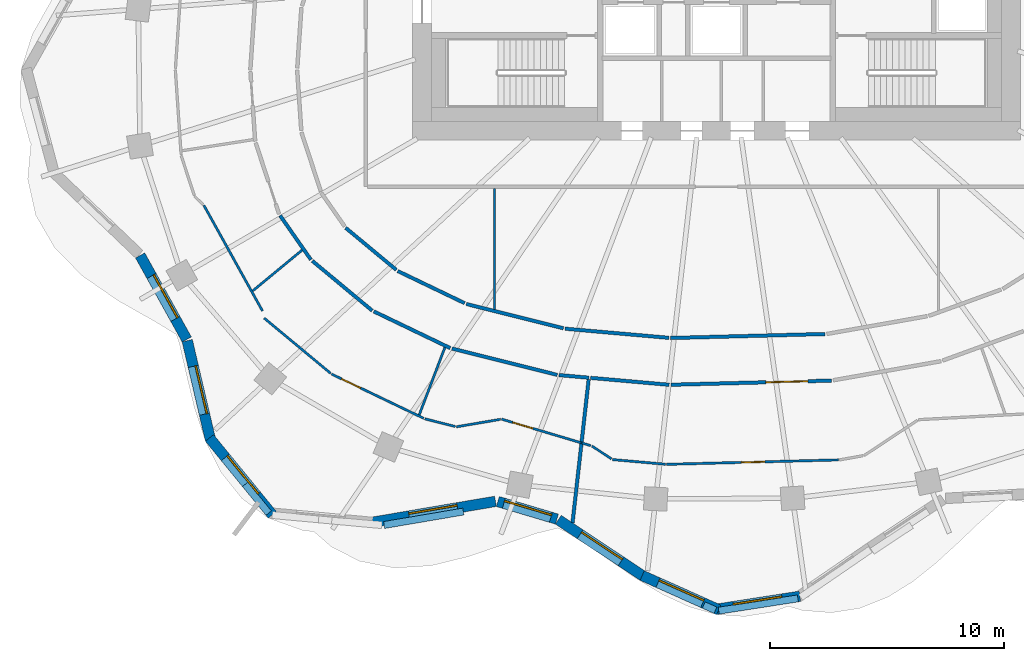
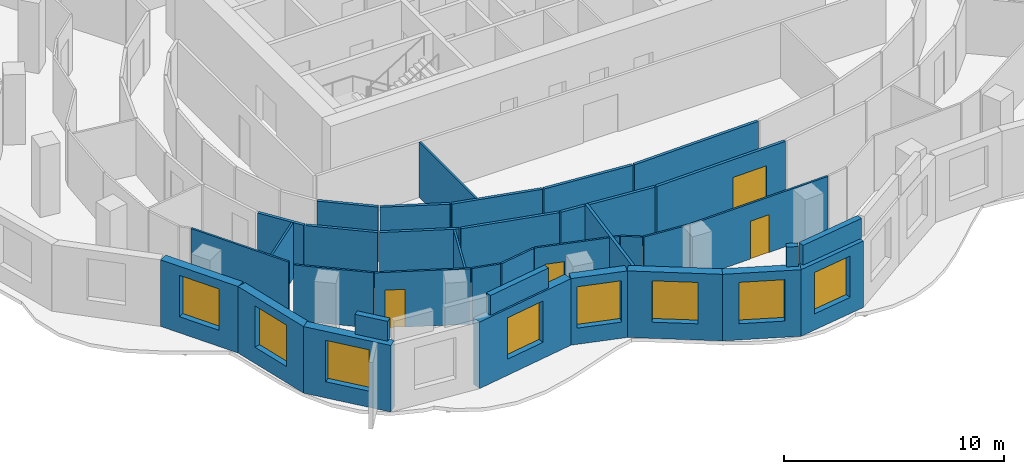
# One storey, part 3 of 10: 38 walls, 8 windows, 4 doors, 12 openings.
"""IFC4 building model written with IfcOpenShell, lengths in metres."""

from ifc_helpers import new_model, si_unit, direction, frame, frame_2d, origin, place, context, subcontext, project, spatial, rectangle, extrude, material, layer, layer_set, type_object, element, fill, save


model = new_model("IFC4")

# Units and contexts
model_context = context("Model", 3, precision=1e-05, world=origin(), true_north=direction((0.0, 1.0)))
body_context = subcontext(model_context, "Body", "Model", "MODEL_VIEW")
ifc_project = project(units=[si_unit("LENGTHUNIT", "METRE"), si_unit("AREAUNIT", "SQUARE_METRE"), si_unit("VOLUMEUNIT", "CUBIC_METRE"), si_unit("PLANEANGLEUNIT", "RADIAN"), si_unit("MASSUNIT", "GRAM", prefix="KILO")], contexts=[model_context])

# Site, building, storey
site_placement = place(None, origin())
site = spatial("IfcSite", under=ifc_project, at=site_placement, CompositionType="ELEMENT")
building_placement = place(site_placement, origin())
building = spatial("IfcBuilding", under=site, at=building_placement, Name="Rubra Terraces Tower", CompositionType="ELEMENT")
storey_placement = place(building_placement, frame((0.0, 0.0, 205.199951171875)))
storey = spatial("IfcBuildingStorey", under=building, at=storey_placement, Name="L50", CompositionType="ELEMENT", Elevation=205.199951171875)

# Wall, opening, window
ifc_material_1 = material(Name="Brick masonry red-brown", Category="masonry")
ifc_layer_1 = layer(ifc_material_1, 0.449951171875)
ifc_layer_set_1 = layer_set([ifc_layer_1], Name="Brick masonry red-brown")
wall_type_1 = type_object("IfcWallType", Name="Brick facade wall 450", PredefinedType="SOLIDWALL", material=ifc_layer_set_1)
wall_1_placement = place(storey_placement, frame((-24.662109375, -7.93896484375, 0.0), z_axis=(0.0, 0.0, 1.0), x_axis=(0.485153910721, -0.874428775208, 0.0)))
wall_1 = element("IfcWall", 1, at=wall_1_placement, inside=storey, type_object=wall_type_1, Name="Facade wall L50 bay 23", PredefinedType="SOLIDWALL", context=body_context, shape_type="SweptSolid", body=[
    extrude(rectangle(XDim=4.1123046875, YDim=0.449951171875, at=frame_2d((2.05615234375, 0.0))), origin(), (0.0, 0.0, 1.0), 3.699951171875),
])
opening_1_placement = place(wall_1_placement, frame((1.006103515625, 0.0, 0.89990234375)))
opening_1 = element("IfcOpeningElement", 2, at=opening_1_placement, cuts=wall_1, Name="Opening W1B", PredefinedType="OPENING", context=body_context, shape_type="SweptSolid", body=[
    extrude(rectangle(XDim=2.10009765625, YDim=2.300048828125, at=frame_2d((1.050048828125, 1.14990234375))), frame((0.0, 0.23486328125, 0.0), z_axis=(0.0, -1.0, 0.0), x_axis=(1.0, 0.0, 0.0)), (0.0, 0.0, 1.0), 0.469970703125),
])
ifc_material_2 = material(Name="Clear glass in aluminium frame", Category="aluminium")
window_type = type_object("IfcWindowType", Name="Fixed deep-set window tall storey 2100 x 2300", PartitioningType="SINGLE_PANEL", PredefinedType="WINDOW", material=ifc_material_2)
window_1_placement = place(opening_1_placement, origin())
window_1 = element("IfcWindow", 3, at=window_1_placement, inside=storey, type_object=window_type, Name="Window L50 bay 23", OverallHeight=2.300048828125, OverallWidth=2.10009765625, PartitioningType="SINGLE_PANEL", PredefinedType="WINDOW", context=body_context, shape_type="SweptSolid", body=[
    extrude(rectangle(XDim=2.10009765625, YDim=2.300048828125, at=frame_2d((1.050048828125, 1.14990234375))), frame((0.0, 0.135009765625, 0.0), z_axis=(0.0, -1.0, 0.0), x_axis=(1.0, 0.0, 0.0)), (0.0, 0.0, 1.0), 0.06005859375),
])
fill(opening_1, window_1)

wall_2_placement = place(storey_placement, frame((-22.646484375, -11.5859375, 0.0), z_axis=(0.0, 0.0, 1.0), x_axis=(0.227925124198, -0.973678662475, 0.0)))
wall_2 = element("IfcWall", 4, at=wall_2_placement, inside=storey, type_object=wall_type_1, Name="Facade wall L50 bay 24", PredefinedType="SOLIDWALL", context=body_context, shape_type="SweptSolid", body=[
    extrude(rectangle(XDim=4.360595703125, YDim=0.449951171875, at=frame_2d((2.18017578125, 0.0))), origin(), (0.0, 0.0, 1.0), 3.699951171875),
])
opening_2_placement = place(wall_2_placement, frame((1.13037109375, 0.0, 0.89990234375)))
opening_2 = element("IfcOpeningElement", 5, at=opening_2_placement, cuts=wall_2, Name="Opening W1B", PredefinedType="OPENING", context=body_context, shape_type="SweptSolid", body=[
    extrude(rectangle(XDim=2.10009765625, YDim=2.300048828125, at=frame_2d((1.050048828125, 1.14990234375))), frame((0.0, 0.23486328125, 0.0), z_axis=(0.0, -1.0, 0.0), x_axis=(1.0, 0.0, 0.0)), (0.0, 0.0, 1.0), 0.469970703125),
])
window_2_placement = place(opening_2_placement, origin())
window_2 = element("IfcWindow", 6, at=window_2_placement, inside=storey, type_object=window_type, Name="Window L50 bay 24", OverallHeight=2.300048828125, OverallWidth=2.10009765625, PartitioningType="SINGLE_PANEL", PredefinedType="WINDOW", context=body_context, shape_type="SweptSolid", body=[
    extrude(rectangle(XDim=2.10009765625, YDim=2.300048828125, at=frame_2d((1.050048828125, 1.14990234375))), frame((0.0, 0.135009765625, 0.0), z_axis=(0.0, -1.0, 0.0), x_axis=(1.0, 0.0, 0.0)), (0.0, 0.0, 1.0), 0.06005859375),
])
fill(opening_2, window_2)

wall_3_placement = place(storey_placement, frame((-21.69580078125, -15.74755859375, 0.0), z_axis=(0.0, 0.0, 1.0), x_axis=(0.632968710519, -0.774177377288, 0.0)))
wall_3 = element("IfcWall", 7, at=wall_3_placement, inside=storey, type_object=wall_type_1, Name="Facade wall L50 bay 25", PredefinedType="SOLIDWALL", context=body_context, shape_type="SweptSolid", body=[
    extrude(rectangle(XDim=4.249755859375, YDim=0.449951171875, at=frame_2d((2.125, 0.0))), origin(), (0.0, 0.0, 1.0), 3.699951171875),
])
opening_3_placement = place(wall_3_placement, frame((1.074951171875, 0.0, 0.89990234375)))
opening_3 = element("IfcOpeningElement", 8, at=opening_3_placement, cuts=wall_3, Name="Opening W1B", PredefinedType="OPENING", context=body_context, shape_type="SweptSolid", body=[
    extrude(rectangle(XDim=2.10009765625, YDim=2.300048828125, at=frame_2d((1.050048828125, 1.14990234375))), frame((0.0, 0.23486328125, 0.0), z_axis=(0.0, -1.0, 0.0), x_axis=(1.0, 0.0, 0.0)), (0.0, 0.0, 1.0), 0.469970703125),
])
window_3_placement = place(opening_3_placement, origin())
window_3 = element("IfcWindow", 9, at=window_3_placement, inside=storey, type_object=window_type, Name="Window L50 bay 25", OverallHeight=2.300048828125, OverallWidth=2.10009765625, PartitioningType="SINGLE_PANEL", PredefinedType="WINDOW", context=body_context, shape_type="SweptSolid", body=[
    extrude(rectangle(XDim=2.10009765625, YDim=2.300048828125, at=frame_2d((1.050048828125, 1.14990234375))), frame((0.0, 0.135009765625, 0.0), z_axis=(0.0, -1.0, 0.0), x_axis=(1.0, 0.0, 0.0)), (0.0, 0.0, 1.0), 0.06005859375),
])
fill(opening_3, window_3)

wall_4_placement = place(storey_placement, frame((-14.78173828125, -19.366943359375, 0.0), z_axis=(0.0, 0.0, 1.0), x_axis=(0.98585584667, 0.167595493934, 0.0)))
wall_4 = element("IfcWall", 10, at=wall_4_placement, inside=storey, type_object=wall_type_1, Name="Facade wall L50 bay 27", PredefinedType="SOLIDWALL", context=body_context, shape_type="SweptSolid", body=[
    extrude(rectangle(XDim=5.398681640625, YDim=0.449951171875, at=frame_2d((2.69921875, 0.0))), origin(), (0.0, 0.0, 1.0), 3.699951171875),
])
opening_4_placement = place(wall_4_placement, frame((1.6494140625, 0.0, 0.89990234375)))
opening_4 = element("IfcOpeningElement", 11, at=opening_4_placement, cuts=wall_4, Name="Opening W1B", PredefinedType="OPENING", context=body_context, shape_type="SweptSolid", body=[
    extrude(rectangle(XDim=2.10009765625, YDim=2.300048828125, at=frame_2d((1.050048828125, 1.14990234375))), frame((0.0, 0.23486328125, 0.0), z_axis=(0.0, -1.0, 0.0), x_axis=(1.0, 0.0, 0.0)), (0.0, 0.0, 1.0), 0.469970703125),
])
window_4_placement = place(opening_4_placement, origin())
window_4 = element("IfcWindow", 12, at=window_4_placement, inside=storey, type_object=window_type, Name="Window L50 bay 27", OverallHeight=2.300048828125, OverallWidth=2.10009765625, PartitioningType="SINGLE_PANEL", PredefinedType="WINDOW", context=body_context, shape_type="SweptSolid", body=[
    extrude(rectangle(XDim=2.10009765625, YDim=2.300048828125, at=frame_2d((1.050048828125, 1.14990234375))), frame((0.0, 0.135009765625, 0.0), z_axis=(0.0, -1.0, 0.0), x_axis=(1.0, 0.0, 0.0)), (0.0, 0.0, 1.0), 0.06005859375),
])
fill(opening_4, window_4)

wall_5_placement = place(storey_placement, frame((-9.357421875, -18.468505859375, 0.0), z_axis=(0.0, 0.0, 1.0), x_axis=(0.958524054629, -0.285011643091, 0.0)))
wall_5 = element("IfcWall", 13, at=wall_5_placement, inside=storey, type_object=wall_type_1, Name="Facade wall L50 bay 28", PredefinedType="SOLIDWALL", context=body_context, shape_type="SweptSolid", body=[
    extrude(rectangle(XDim=2.637451171875, YDim=0.449951171875, at=frame_2d((1.31884765625, 0.0))), origin(), (0.0, 0.0, 1.0), 3.699951171875),
])
opening_5_placement = place(wall_5_placement, frame((0.268798828125, 0.0, 0.89990234375)))
opening_5 = element("IfcOpeningElement", 14, at=opening_5_placement, cuts=wall_5, Name="Opening W1B", PredefinedType="OPENING", context=body_context, shape_type="SweptSolid", body=[
    extrude(rectangle(XDim=2.10009765625, YDim=2.300048828125, at=frame_2d((1.050048828125, 1.14990234375))), frame((0.0, 0.23486328125, 0.0), z_axis=(0.0, -1.0, 0.0), x_axis=(1.0, 0.0, 0.0)), (0.0, 0.0, 1.0), 0.469970703125),
])
window_5_placement = place(opening_5_placement, origin())
window_5 = element("IfcWindow", 15, at=window_5_placement, inside=storey, type_object=window_type, Name="Window L50 bay 28", OverallHeight=2.300048828125, OverallWidth=2.10009765625, PartitioningType="SINGLE_PANEL", PredefinedType="WINDOW", context=body_context, shape_type="SweptSolid", body=[
    extrude(rectangle(XDim=2.10009765625, YDim=2.300048828125, at=frame_2d((1.050048828125, 1.14990234375))), frame((0.0, 0.135009765625, 0.0), z_axis=(0.0, -1.0, 0.0), x_axis=(1.0, 0.0, 0.0)), (0.0, 0.0, 1.0), 0.06005859375),
])
fill(opening_5, window_5)

wall_6_placement = place(storey_placement, frame((-6.76904296875, -19.248291015625, 0.0), z_axis=(0.0, 0.0, 1.0), x_axis=(0.832973379274, -0.553313066375, 0.0)))
wall_6 = element("IfcWall", 16, at=wall_6_placement, inside=storey, type_object=wall_type_1, Name="Facade wall L50 bay 29", PredefinedType="SOLIDWALL", context=body_context, shape_type="SweptSolid", body=[
    extrude(rectangle(XDim=4.348388671875, YDim=0.449951171875, at=frame_2d((2.17431640625, 0.0))), origin(), (0.0, 0.0, 1.0), 3.699951171875),
])
opening_6_placement = place(wall_6_placement, frame((1.1240234375, 0.0, 0.89990234375)))
opening_6 = element("IfcOpeningElement", 17, at=opening_6_placement, cuts=wall_6, Name="Opening W1B", PredefinedType="OPENING", context=body_context, shape_type="SweptSolid", body=[
    extrude(rectangle(XDim=2.10009765625, YDim=2.300048828125, at=frame_2d((1.050048828125, 1.14990234375))), frame((0.0, 0.23486328125, 0.0), z_axis=(0.0, -1.0, 0.0), x_axis=(1.0, 0.0, 0.0)), (0.0, 0.0, 1.0), 0.469970703125),
])
window_6_placement = place(opening_6_placement, origin())
window_6 = element("IfcWindow", 18, at=window_6_placement, inside=storey, type_object=window_type, Name="Window L50 bay 29", OverallHeight=2.300048828125, OverallWidth=2.10009765625, PartitioningType="SINGLE_PANEL", PredefinedType="WINDOW", context=body_context, shape_type="SweptSolid", body=[
    extrude(rectangle(XDim=2.10009765625, YDim=2.300048828125, at=frame_2d((1.050048828125, 1.14990234375))), frame((0.0, 0.135009765625, 0.0), z_axis=(0.0, -1.0, 0.0), x_axis=(1.0, 0.0, 0.0)), (0.0, 0.0, 1.0), 0.06005859375),
])
fill(opening_6, window_6)

wall_7_placement = place(storey_placement, frame((-3.179443359375, -21.63623046875, 0.0), z_axis=(0.0, 0.0, 1.0), x_axis=(0.912608353595, -0.40883492139, 0.0)))
wall_7 = element("IfcWall", 19, at=wall_7_placement, inside=storey, type_object=wall_type_1, Name="Facade wall L50 bay 30", PredefinedType="SOLIDWALL", context=body_context, shape_type="SweptSolid", body=[
    extrude(rectangle(XDim=3.584716796875, YDim=0.449951171875, at=frame_2d((1.79248046875, 0.0))), origin(), (0.0, 0.0, 1.0), 3.699951171875),
])
opening_7_placement = place(wall_7_placement, frame((0.7421875, 0.0, 0.89990234375)))
opening_7 = element("IfcOpeningElement", 20, at=opening_7_placement, cuts=wall_7, Name="Opening W1B", PredefinedType="OPENING", context=body_context, shape_type="SweptSolid", body=[
    extrude(rectangle(XDim=2.10009765625, YDim=2.300048828125, at=frame_2d((1.050048828125, 1.14990234375))), frame((0.0, 0.23486328125, 0.0), z_axis=(0.0, -1.0, 0.0), x_axis=(1.0, 0.0, 0.0)), (0.0, 0.0, 1.0), 0.469970703125),
])
window_7_placement = place(opening_7_placement, origin())
window_7 = element("IfcWindow", 21, at=window_7_placement, inside=storey, type_object=window_type, Name="Window L50 bay 30", OverallHeight=2.300048828125, OverallWidth=2.10009765625, PartitioningType="SINGLE_PANEL", PredefinedType="WINDOW", context=body_context, shape_type="SweptSolid", body=[
    extrude(rectangle(XDim=2.10009765625, YDim=2.300048828125, at=frame_2d((1.050048828125, 1.14990234375))), frame((0.0, 0.135009765625, 0.0), z_axis=(0.0, -1.0, 0.0), x_axis=(1.0, 0.0, 0.0)), (0.0, 0.0, 1.0), 0.06005859375),
])
fill(opening_7, window_7)

wall_8_placement = place(storey_placement, frame((-0.03466796875, -23.084716796875, 0.0), z_axis=(0.0, 0.0, 1.0), x_axis=(0.988133637562, 0.153596596054, 0.0)))
wall_8 = element("IfcWall", 22, at=wall_8_placement, inside=storey, type_object=wall_type_1, Name="Facade wall L50 bay 31", PredefinedType="SOLIDWALL", context=body_context, shape_type="SweptSolid", body=[
    extrude(rectangle(XDim=3.646240234375, YDim=0.449951171875, at=frame_2d((1.8232421875, 0.0))), origin(), (0.0, 0.0, 1.0), 3.699951171875),
])
opening_8_placement = place(wall_8_placement, frame((0.773193359375, 0.0, 0.89990234375)))
opening_8 = element("IfcOpeningElement", 23, at=opening_8_placement, cuts=wall_8, Name="Opening W1B", PredefinedType="OPENING", context=body_context, shape_type="SweptSolid", body=[
    extrude(rectangle(XDim=2.10009765625, YDim=2.300048828125, at=frame_2d((1.050048828125, 1.14990234375))), frame((0.0, 0.23486328125, 0.0), z_axis=(0.0, -1.0, 0.0), x_axis=(1.0, 0.0, 0.0)), (0.0, 0.0, 1.0), 0.469970703125),
])
window_8_placement = place(opening_8_placement, origin())
window_8 = element("IfcWindow", 24, at=window_8_placement, inside=storey, type_object=window_type, Name="Window L50 bay 31", OverallHeight=2.300048828125, OverallWidth=2.10009765625, PartitioningType="SINGLE_PANEL", PredefinedType="WINDOW", context=body_context, shape_type="SweptSolid", body=[
    extrude(rectangle(XDim=2.10009765625, YDim=2.300048828125, at=frame_2d((1.050048828125, 1.14990234375))), frame((0.0, 0.135009765625, 0.0), z_axis=(0.0, -1.0, 0.0), x_axis=(1.0, 0.0, 0.0)), (0.0, 0.0, 1.0), 0.06005859375),
])
fill(opening_8, window_8)

# Walls
ifc_layer_2 = layer(ifc_material_1, 0.300048828125)
ifc_layer_set_2 = layer_set([ifc_layer_2], Name="Brick masonry red-brown")
wall_type_2 = type_object("IfcWallType", Name="Brick parapet 300", PredefinedType="PARAPET", material=ifc_layer_set_2)
wall_9_placement = place(storey_placement, frame((-20.16845703125, -17.734130859375, 3.900146484375), z_axis=(0.0, 0.0, 1.0), x_axis=(0.632995189145, -0.774155727564, 0.0)))
element("IfcWall", 25, at=wall_9_placement, inside=storey, type_object=wall_type_2, Name="Parapet L50 bay 25", PredefinedType="PARAPET", context=body_context, shape_type="SweptSolid", body=[
    extrude(rectangle(XDim=1.58935546875, YDim=0.300048828125, at=frame_2d((0.794677734375, 0.0))), origin(), (0.0, 0.0, 1.0), 1.099853515625),
])
wall_10_placement = place(storey_placement, frame((-14.220947265625, -19.473388671875, 3.900146484375), z_axis=(0.0, 0.0, 1.0), x_axis=(0.985864880964, 0.167542342353, 0.0)))
element("IfcWall", 26, at=wall_10_placement, inside=storey, type_object=wall_type_2, Name="Parapet L50 bay 27", PredefinedType="PARAPET", context=body_context, shape_type="SweptSolid", body=[
    extrude(rectangle(XDim=3.4375, YDim=0.300048828125, at=frame_2d((1.71875, 0.0))), origin(), (0.0, 0.0, 1.0), 1.099853515625),
])
wall_11_placement = place(storey_placement, frame((-0.54541015625, -22.898193359375, 3.900146484375), z_axis=(0.0, 0.0, 1.0), x_axis=(0.912497815069, -0.409081578044, 0.0)))
element("IfcWall", 27, at=wall_11_placement, inside=storey, type_object=wall_type_2, Name="Parapet L50 bay 30", PredefinedType="PARAPET", context=body_context, shape_type="SweptSolid", body=[
    extrude(rectangle(XDim=0.546142578125, YDim=0.300048828125, at=frame_2d((0.27294921875, 0.0))), origin(), (0.0, 0.0, 1.0), 1.099853515625),
])
wall_12_placement = place(storey_placement, frame((0.09423828125, -23.140380859375, 3.900146484375), z_axis=(0.0, 0.0, 1.0), x_axis=(0.988150084887, 0.153490748056, 0.0)))
element("IfcWall", 28, at=wall_12_placement, inside=storey, type_object=wall_type_2, Name="Parapet L50 bay 31", PredefinedType="PARAPET", context=body_context, shape_type="SweptSolid", body=[
    extrude(rectangle(XDim=3.42919921875, YDim=0.300048828125, at=frame_2d((1.714599609375, 0.0))), origin(), (0.0, 0.0, 1.0), 1.099853515625),
])
ifc_material_3 = material(Name="Plasterboard on steel stud, mineral wool infill", Category="steel")
ifc_layer_3 = layer(ifc_material_3, 0.14990234375)
ifc_layer_set_3 = layer_set([ifc_layer_3], Name="Plasterboard on steel stud, mineral wool infill")
wall_type_3 = type_object("IfcWallType", Name="CORRIDOR PARTITION 150", PredefinedType="PARTITIONING", material=ifc_layer_set_3)
wall_13_placement = place(storey_placement, frame((-18.673828125, -6.231689453125, 0.0), z_axis=(0.0, 0.0, 1.0), x_axis=(0.572118665737, -0.820170855563, 0.0)))
element("IfcWall", 29, at=wall_13_placement, inside=storey, type_object=wall_type_3, Name="PARTITION", PredefinedType="PARTITIONING", context=body_context, shape_type="SweptSolid", body=[
    extrude(rectangle(XDim=2.30615234375, YDim=0.14990234375, at=frame_2d((1.153076171875, 0.0))), origin(), (0.0, 0.0, 1.0), 3.083984375),
])
wall_14_placement = place(storey_placement, frame((-17.296875, -8.1708984375, 0.0), z_axis=(0.0, 0.0, 1.0), x_axis=(0.769228575061, -0.638973707839, 0.0)))
element("IfcWall", 30, at=wall_14_placement, inside=storey, type_object=wall_type_3, Name="PARTITION", PredefinedType="PARTITIONING", context=body_context, shape_type="SweptSolid", body=[
    extrude(rectangle(XDim=3.33447265625, YDim=0.14990234375, at=frame_2d((1.667236328125, 0.0))), origin(), (0.0, 0.0, 1.0), 3.083984375),
])
wall_15_placement = place(storey_placement, frame((-14.664306640625, -10.333984375, 0.0), z_axis=(0.0, 0.0, 1.0), x_axis=(0.901507315282, -0.432763862278, 0.0)))
element("IfcWall", 31, at=wall_15_placement, inside=storey, type_object=wall_type_3, Name="PARTITION", PredefinedType="PARTITIONING", context=body_context, shape_type="SweptSolid", body=[
    extrude(rectangle(XDim=3.63037109375, YDim=0.14990234375, at=frame_2d((1.815185546875, 0.0))), origin(), (0.0, 0.0, 1.0), 3.083984375),
])
wall_16_placement = place(storey_placement, frame((-11.318603515625, -11.923095703125, 0.0), z_axis=(0.0, 0.0, 1.0), x_axis=(0.969990815038, -0.243141561114, 0.0)))
element("IfcWall", 32, at=wall_16_placement, inside=storey, type_object=wall_type_3, Name="PARTITION", PredefinedType="PARTITIONING", context=body_context, shape_type="SweptSolid", body=[
    extrude(rectangle(XDim=4.64501953125, YDim=0.14990234375, at=frame_2d((2.322509765625, 0.0))), origin(), (0.0, 0.0, 1.0), 3.083984375),
])
wall_17_placement = place(storey_placement, frame((-6.73828125, -13.05908203125, 0.0), z_axis=(0.0, 0.0, 1.0), x_axis=(0.996151409237, -0.087649129351, 0.0)))
element("IfcWall", 33, at=wall_17_placement, inside=storey, type_object=wall_type_3, Name="PARTITION", PredefinedType="PARTITIONING", context=body_context, shape_type="SweptSolid", body=[
    extrude(rectangle(XDim=1.28125, YDim=0.14990234375, at=frame_2d((0.640625, 0.0))), origin(), (0.0, 0.0, 1.0), 3.083984375),
])
wall_18_placement = place(storey_placement, frame((-5.38720703125, -13.177978515625, 0.0), z_axis=(0.0, 0.0, 1.0), x_axis=(0.996140835551, -0.087769218677, 0.0)))
element("IfcWall", 34, at=wall_18_placement, inside=storey, type_object=wall_type_3, Name="PARTITION", PredefinedType="PARTITIONING", context=body_context, shape_type="SweptSolid", body=[
    extrude(rectangle(XDim=3.3740234375, YDim=0.14990234375, at=frame_2d((1.68701171875, 0.0))), origin(), (0.0, 0.0, 1.0), 3.083984375),
])

# Wall, opening, door
wall_19_placement = place(storey_placement, frame((-1.951171875, -13.472412109375, 0.0), z_axis=(0.0, 0.0, 1.0), x_axis=(0.999663898238, 0.025924709429, 0.0)))
wall_19 = element("IfcWall", 35, at=wall_19_placement, inside=storey, type_object=wall_type_3, Name="PARTITION", PredefinedType="PARTITIONING", context=body_context, shape_type="SweptSolid", body=[
    extrude(rectangle(XDim=6.87451171875, YDim=0.14990234375, at=frame_2d((3.437255859375, 0.0))), origin(), (0.0, 0.0, 1.0), 3.083984375),
])
opening_9_placement = place(wall_19_placement, frame((4.06591796875, 0.0, 0.0)))
opening_9 = element("IfcOpeningElement", 36, at=opening_9_placement, cuts=wall_19, Name="Opening 50-107", PredefinedType="OPENING", context=body_context, shape_type="SweptSolid", body=[
    extrude(rectangle(XDim=1.800048828125, YDim=2.10009765625, at=frame_2d((0.89990234375, 1.050048828125))), frame((0.0, 0.0849609375, 0.0), z_axis=(0.0, -1.0, 0.0), x_axis=(1.0, 0.0, 0.0)), (0.0, 0.0, 1.0), 0.169921875),
])
ifc_material_4 = material(Name="Painted timber door leaf, double", Category="wood")
door_type_1 = type_object("IfcDoorType", Name="ROOM DOUBLE DOOR 1800 X 2100", OperationType="DOUBLE_DOOR_SINGLE_SWING", PredefinedType="DOOR", material=ifc_material_4)
door_1_placement = place(opening_9_placement, origin())
door_1 = element("IfcDoor", 37, at=door_1_placement, inside=storey, type_object=door_type_1, Name="DOOR 50-107", OperationType="DOUBLE_DOOR_SINGLE_SWING", OverallHeight=2.10009765625, OverallWidth=1.800048828125, PredefinedType="DOOR", context=body_context, shape_type="SweptSolid", body=[
    extrude(rectangle(XDim=1.800048828125, YDim=2.10009765625, at=frame_2d((0.89990234375, 1.050048828125))), frame((0.0, 0.02490234375, 0.0), z_axis=(0.0, -1.0, 0.0), x_axis=(1.0, 0.0, 0.0)), (0.0, 0.0, 1.0), 0.050048828125),
])
fill(opening_9, door_1)

# Walls
wall_20_placement = place(storey_placement, frame((4.64453125, -11.30078125, 0.0), z_axis=(0.0, 0.0, 1.0), x_axis=(-0.9996648469, -0.02588810291, 0.0)))
element("IfcWall", 38, at=wall_20_placement, inside=storey, type_object=wall_type_3, Name="PARTITION", PredefinedType="PARTITIONING", context=body_context, shape_type="SweptSolid", body=[
    extrude(rectangle(XDim=6.61083984375, YDim=0.14990234375, at=frame_2d((3.305419921875, 0.0))), origin(), (0.0, 0.0, 1.0), 3.083984375),
])
wall_21_placement = place(storey_placement, frame((-2.038818359375, -11.46533203125, 0.0), z_axis=(0.0, 0.0, 1.0), x_axis=(-0.996139855484, 0.087780341286, 0.0)))
element("IfcWall", 39, at=wall_21_placement, inside=storey, type_object=wall_type_3, Name="PARTITION", PredefinedType="PARTITIONING", context=body_context, shape_type="SweptSolid", body=[
    extrude(rectangle(XDim=4.458251953125, YDim=0.14990234375, at=frame_2d((2.22900390625, 0.0))), origin(), (0.0, 0.0, 1.0), 3.083984375),
])
wall_22_placement = place(storey_placement, frame((-6.552734375, -11.055908203125, 0.0), z_axis=(0.0, 0.0, 1.0), x_axis=(-0.970004917182, 0.243085294995, 0.0)))
element("IfcWall", 40, at=wall_22_placement, inside=storey, type_object=wall_type_3, Name="PARTITION", PredefinedType="PARTITIONING", context=body_context, shape_type="SweptSolid", body=[
    extrude(rectangle(XDim=4.284423828125, YDim=0.14990234375, at=frame_2d((2.14208984375, 0.0))), origin(), (0.0, 0.0, 1.0), 3.083984375),
])
wall_23_placement = place(storey_placement, frame((-10.7763671875, -9.981689453125, 0.0), z_axis=(0.0, 0.0, 1.0), x_axis=(-0.901511079436, 0.432756020933, 0.0)))
element("IfcWall", 41, at=wall_23_placement, inside=storey, type_object=wall_type_3, Name="PARTITION", PredefinedType="PARTITIONING", context=body_context, shape_type="SweptSolid", body=[
    extrude(rectangle(XDim=3.1806640625, YDim=0.14990234375, at=frame_2d((1.59033203125, 0.0))), origin(), (0.0, 0.0, 1.0), 3.083984375),
])
wall_24_placement = place(storey_placement, frame((-13.70166015625, -8.557373046875, 0.0), z_axis=(0.0, 0.0, 1.0), x_axis=(-0.769221825067, 0.638981833733, 0.0)))
element("IfcWall", 42, at=wall_24_placement, inside=storey, type_object=wall_type_3, Name="PARTITION", PredefinedType="PARTITIONING", context=body_context, shape_type="SweptSolid", body=[
    extrude(rectangle(XDim=2.8173828125, YDim=0.14990234375, at=frame_2d((1.40869140625, 0.0))), origin(), (0.0, 0.0, 1.0), 3.083984375),
])

# Wall, opening, door
ifc_material_5 = material(Name="Plasterboard on steel stud", Category="steel")
ifc_layer_4 = layer(ifc_material_5, 0.10009765625)
ifc_layer_set_4 = layer_set([ifc_layer_4], Name="Plasterboard on steel stud")
wall_type_4 = type_object("IfcWallType", Name="ROOM PARTITION 100", PredefinedType="PARTITIONING", material=ifc_layer_set_4)
wall_25_placement = place(storey_placement, frame((-5.79541015625, -15.954345703125, 0.0), z_axis=(0.0, 0.0, 1.0), x_axis=(-0.95851298226, 0.285048877981, 0.0)))
wall_25 = element("IfcWall", 43, at=wall_25_placement, inside=storey, type_object=wall_type_4, Name="PARTITION", PredefinedType="PARTITIONING", context=body_context, shape_type="SweptSolid", body=[
    extrude(rectangle(XDim=3.547607421875, YDim=0.10009765625, at=frame_2d((1.77392578125, 0.0))), origin(), (0.0, 0.0, 1.0), 3.083984375),
])
opening_10_placement = place(wall_25_placement, frame((2.14990234375, 0.0, 0.0)))
opening_10 = element("IfcOpeningElement", 44, at=opening_10_placement, cuts=wall_25, Name="Opening 50-106", PredefinedType="OPENING", context=body_context, shape_type="SweptSolid", body=[
    extrude(rectangle(XDim=0.89990234375, YDim=2.10009765625, at=frame_2d((0.449951171875, 1.050048828125))), frame((0.0, 0.06005859375, 0.0), z_axis=(0.0, -1.0, 0.0), x_axis=(1.0, 0.0, 0.0)), (0.0, 0.0, 1.0), 0.1201171875),
])
ifc_material_6 = material(Name="Painted timber door leaf", Category="wood")
door_type_2 = type_object("IfcDoorType", Name="ROOM DOOR 900 X 2100", OperationType="SINGLE_SWING_LEFT", PredefinedType="DOOR", material=ifc_material_6)
door_2_placement = place(opening_10_placement, origin())
door_2 = element("IfcDoor", 45, at=door_2_placement, inside=storey, type_object=door_type_2, Name="DOOR 50-106", OperationType="SINGLE_SWING_RIGHT", OverallHeight=2.10009765625, OverallWidth=0.89990234375, PredefinedType="DOOR", context=body_context, shape_type="SweptSolid", body=[
    extrude(rectangle(XDim=0.89990234375, YDim=2.10009765625, at=frame_2d((0.449951171875, 1.050048828125))), frame((0.0, 0.02490234375, 0.0), z_axis=(0.0, -1.0, 0.0), x_axis=(1.0, 0.0, 0.0)), (0.0, 0.0, 1.0), 0.050048828125),
])
fill(opening_10, door_2)

# Walls
wall_26_placement = place(storey_placement, frame((-9.2451171875, -14.95166015625, 0.0), z_axis=(0.0, 0.0, 1.0), x_axis=(-0.985862618802, -0.167555652988, 0.0)))
element("IfcWall", 46, at=wall_26_placement, inside=storey, type_object=wall_type_4, Name="PARTITION", PredefinedType="PARTITIONING", context=body_context, shape_type="SweptSolid", body=[
    extrude(rectangle(XDim=1.90576171875, YDim=0.10009765625, at=frame_2d((0.952880859375, 0.0))), origin(), (0.0, 0.0, 1.0), 3.083984375),
])
wall_27_placement = place(storey_placement, frame((-11.172607421875, -15.2587890625, 0.0), z_axis=(0.0, 0.0, 1.0), x_axis=(-0.970004236747, 0.243088010177, 0.0)))
element("IfcWall", 47, at=wall_27_placement, inside=storey, type_object=wall_type_4, Name="PARTITION", PredefinedType="PARTITIONING", context=body_context, shape_type="SweptSolid", body=[
    extrude(rectangle(XDim=1.351806640625, YDim=0.10009765625, at=frame_2d((0.67578125, 0.0))), origin(), (0.0, 0.0, 1.0), 3.083984375),
])

# Wall, opening, door
wall_28_placement = place(storey_placement, frame((-12.529052734375, -14.90869140625, 0.0), z_axis=(0.0, 0.0, 1.0), x_axis=(-0.901499543351, 0.432780051918, 0.0)))
wall_28 = element("IfcWall", 48, at=wall_28_placement, inside=storey, type_object=wall_type_4, Name="PARTITION", PredefinedType="PARTITIONING", context=body_context, shape_type="SweptSolid", body=[
    extrude(rectangle(XDim=4.374755859375, YDim=0.10009765625, at=frame_2d((2.1875, 0.0))), origin(), (0.0, 0.0, 1.0), 3.083984375),
])
opening_11_placement = place(wall_28_placement, frame((3.0, 0.0, 0.0)))
opening_11 = element("IfcOpeningElement", 49, at=opening_11_placement, cuts=wall_28, Name="Opening 50-105", PredefinedType="OPENING", context=body_context, shape_type="SweptSolid", body=[
    extrude(rectangle(XDim=0.89990234375, YDim=2.10009765625, at=frame_2d((0.449951171875, 1.050048828125))), frame((0.0, 0.06005859375, 0.0), z_axis=(0.0, -1.0, 0.0), x_axis=(1.0, 0.0, 0.0)), (0.0, 0.0, 1.0), 0.1201171875),
])
door_3_placement = place(opening_11_placement, origin())
door_3 = element("IfcDoor", 50, at=door_3_placement, inside=storey, type_object=door_type_2, Name="DOOR 50-105", OperationType="SINGLE_SWING_RIGHT", OverallHeight=2.10009765625, OverallWidth=0.89990234375, PredefinedType="DOOR", context=body_context, shape_type="SweptSolid", body=[
    extrude(rectangle(XDim=0.89990234375, YDim=2.10009765625, at=frame_2d((0.449951171875, 1.050048828125))), frame((0.0, 0.02490234375, 0.0), z_axis=(0.0, -1.0, 0.0), x_axis=(1.0, 0.0, 0.0)), (0.0, 0.0, 1.0), 0.050048828125),
])
fill(opening_11, door_3)

# Walls
wall_29_placement = place(storey_placement, frame((-16.511474609375, -12.9833984375, 0.0), z_axis=(0.0, 0.0, 1.0), x_axis=(-0.769227332821, 0.638975203307, 0.0)))
element("IfcWall", 51, at=wall_29_placement, inside=storey, type_object=wall_type_4, Name="PARTITION", PredefinedType="PARTITIONING", context=body_context, shape_type="SweptSolid", body=[
    extrude(rectangle(XDim=3.6962890625, YDim=0.10009765625, at=frame_2d((1.84814453125, 0.0))), origin(), (0.0, 0.0, 1.0), 3.083984375),
])
wall_30_placement = place(storey_placement, frame((-19.426025390625, -10.31689453125, 0.0), z_axis=(0.0, 0.0, 1.0), x_axis=(-0.485125918375, 0.874444305443, 0.0)))
element("IfcWall", 52, at=wall_30_placement, inside=storey, type_object=wall_type_4, Name="PARTITION", PredefinedType="PARTITIONING", context=body_context, shape_type="SweptSolid", body=[
    extrude(rectangle(XDim=5.1728515625, YDim=0.10009765625, at=frame_2d((2.58642578125, 0.0))), origin(), (0.0, 0.0, 1.0), 3.083984375),
])
wall_31_placement = place(storey_placement, frame((-17.732666015625, -7.711669921875, 0.0), z_axis=(0.0, 0.0, 1.0), x_axis=(-0.771096712333, -0.636718038247, 0.0)))
element("IfcWall", 53, at=wall_31_placement, inside=storey, type_object=wall_type_4, Name="PARTITION", PredefinedType="PARTITIONING", context=body_context, shape_type="SweptSolid", body=[
    extrude(rectangle(XDim=2.741455078125, YDim=0.10009765625, at=frame_2d((1.37060546875, 0.0))), origin(), (0.0, 0.0, 1.0), 3.083984375),
])
wall_32_placement = place(storey_placement, frame((-11.623291015625, -11.876708984375, 0.0), z_axis=(0.0, 0.0, 1.0), x_axis=(-0.355748592272, -0.93458169204, 0.0)))
element("IfcWall", 54, at=wall_32_placement, inside=storey, type_object=wall_type_4, Name="PARTITION", PredefinedType="PARTITIONING", context=body_context, shape_type="SweptSolid", body=[
    extrude(rectangle(XDim=3.086181640625, YDim=0.10009765625, at=frame_2d((1.54296875, 0.0))), origin(), (0.0, 0.0, 1.0), 3.083984375),
])

# Wall, opening, door
wall_33_placement = place(storey_placement, frame((5.2138671875, -16.687744140625, 0.0), z_axis=(0.0, 0.0, 1.0), x_axis=(-0.999664981446, -0.025882906921, 0.0)))
wall_33 = element("IfcWall", 55, at=wall_33_placement, inside=storey, type_object=wall_type_4, Name="PARTITION", PredefinedType="PARTITIONING", context=body_context, shape_type="SweptSolid", body=[
    extrude(rectangle(XDim=7.347900390625, YDim=0.10009765625, at=frame_2d((3.673828125, 0.0))), origin(), (0.0, 0.0, 1.0), 3.083984375),
])
opening_12_placement = place(wall_33_placement, frame((3.14990234375, 0.0, 0.0)))
opening_12 = element("IfcOpeningElement", 56, at=opening_12_placement, cuts=wall_33, Name="Opening 50-119", PredefinedType="OPENING", context=body_context, shape_type="SweptSolid", body=[
    extrude(rectangle(XDim=1.0, YDim=2.10009765625, at=frame_2d((0.5, 1.050048828125))), frame((0.0, 0.06005859375, 0.0), z_axis=(0.0, -1.0, 0.0), x_axis=(1.0, 0.0, 0.0)), (0.0, 0.0, 1.0), 0.1201171875),
])
door_type_3 = type_object("IfcDoorType", Name="ROOM DOOR 1000 X 2100", OperationType="SINGLE_SWING_LEFT", PredefinedType="DOOR", material=ifc_material_6)
door_4_placement = place(opening_12_placement, origin())
door_4 = element("IfcDoor", 57, at=door_4_placement, inside=storey, type_object=door_type_3, Name="DOOR 50-119", OperationType="SINGLE_SWING_RIGHT", OverallHeight=2.10009765625, OverallWidth=1.0, PredefinedType="DOOR", context=body_context, shape_type="SweptSolid", body=[
    extrude(rectangle(XDim=1.0, YDim=2.10009765625, at=frame_2d((0.5, 1.050048828125))), frame((0.0, 0.02490234375, 0.0), z_axis=(0.0, -1.0, 0.0), x_axis=(1.0, 0.0, 0.0)), (0.0, 0.0, 1.0), 0.050048828125),
])
fill(opening_12, door_4)

# Walls
wall_34_placement = place(storey_placement, frame((-2.181396484375, -16.87353515625, 0.0), z_axis=(0.0, 0.0, 1.0), x_axis=(-0.996147729226, 0.087690943421, 0.0)))
element("IfcWall", 58, at=wall_34_placement, inside=storey, type_object=wall_type_4, Name="PARTITION", PredefinedType="PARTITIONING", context=body_context, shape_type="SweptSolid", body=[
    extrude(rectangle(XDim=2.282958984375, YDim=0.10009765625, at=frame_2d((1.1416015625, 0.0))), origin(), (0.0, 0.0, 1.0), 3.083984375),
])
wall_35_placement = place(storey_placement, frame((-4.497314453125, -16.6455078125, 0.0), z_axis=(0.0, 0.0, 1.0), x_axis=(-0.832989458456, 0.55328885955, 0.0)))
element("IfcWall", 59, at=wall_35_placement, inside=storey, type_object=wall_type_4, Name="PARTITION", PredefinedType="PARTITIONING", context=body_context, shape_type="SweptSolid", body=[
    extrude(rectangle(XDim=0.99853515625, YDim=0.10009765625, at=frame_2d((0.499267578125, 0.0))), origin(), (0.0, 0.0, 1.0), 3.083984375),
])
wall_36_placement = place(storey_placement, frame((-5.377197265625, -16.078857421875, 0.0), z_axis=(0.0, 0.0, 1.0), x_axis=(-0.958536356279, 0.284970268083, 0.0)))
element("IfcWall", 60, at=wall_36_placement, inside=storey, type_object=wall_type_4, Name="PARTITION", PredefinedType="PARTITIONING", context=body_context, shape_type="SweptSolid", body=[
    extrude(rectangle(XDim=0.395751953125, YDim=0.10009765625, at=frame_2d((0.19775390625, 0.0))), origin(), (0.0, 0.0, 1.0), 3.083984375),
])
wall_37_placement = place(storey_placement, frame((-9.5, -10.2421875, 0.0), z_axis=(0.0, 0.0, 1.0), x_axis=(0.0, 1.0, 0.0)))
element("IfcWall", 61, at=wall_37_placement, inside=storey, type_object=wall_type_4, Name="PARTITION", PredefinedType="PARTITIONING", context=body_context, shape_type="SweptSolid", body=[
    extrude(rectangle(XDim=5.167236328125, YDim=0.10009765625, at=frame_2d((2.58349609375, 0.0))), origin(), (0.0, 0.0, 1.0), 3.083984375),
])
ifc_layer_5 = layer(ifc_material_5, 0.14990234375)
ifc_layer_set_5 = layer_set([ifc_layer_5], Name="Plasterboard on steel stud")
wall_type_5 = type_object("IfcWallType", Name="ROOM PARTITION 150", PredefinedType="PARTITIONING", material=ifc_layer_set_5)
wall_38_placement = place(storey_placement, frame((-6.160888671875, -19.37744140625, 0.0), z_axis=(0.0, 0.0, 1.0), x_axis=(0.111938367562, 0.993715151272, 0.0)))
element("IfcWall", 62, at=wall_38_placement, inside=storey, type_object=wall_type_5, Name="PARTITION", PredefinedType="PARTITIONING", context=body_context, shape_type="SweptSolid", body=[
    extrude(rectangle(XDim=6.170166015625, YDim=0.14990234375, at=frame_2d((3.0849609375, 0.0))), origin(), (0.0, 0.0, 1.0), 3.18408203125),
])

save(model, "model.ifc")
